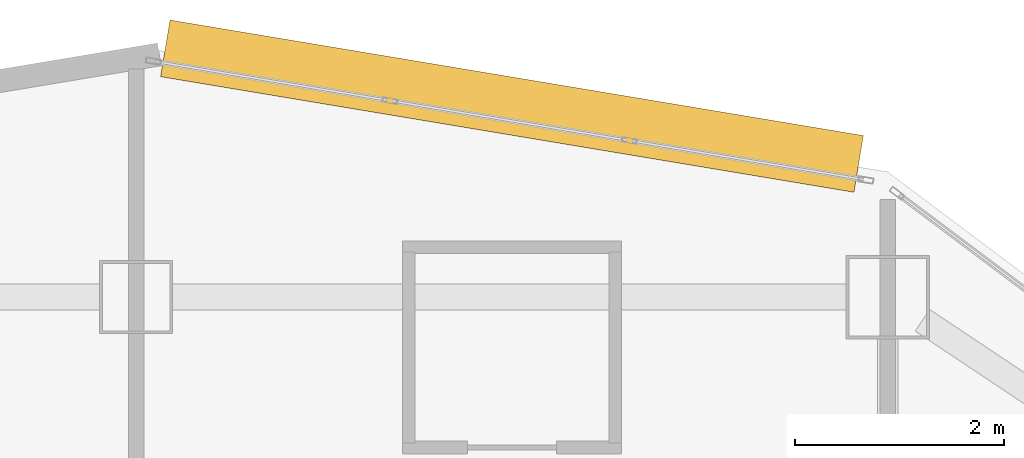
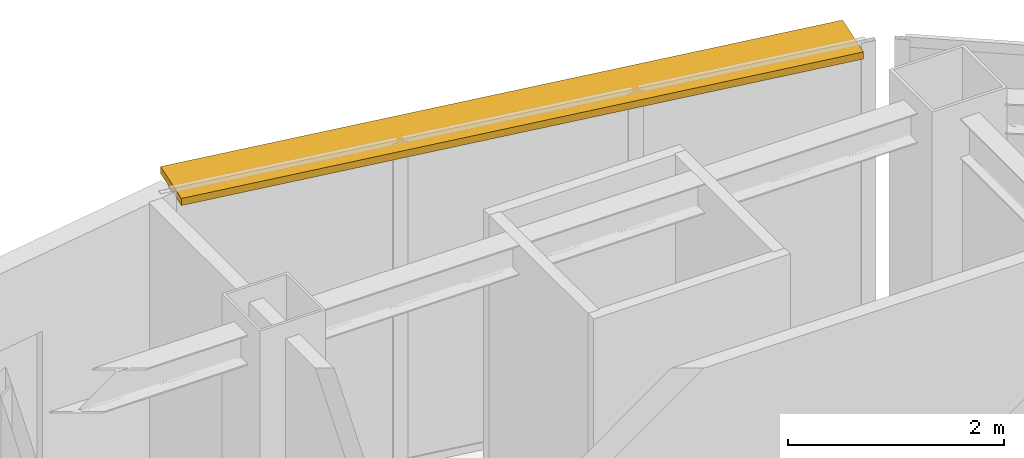
# One storey, part 11 of 11: 1 shading device.
"""IFC4 building model written with IfcOpenShell, lengths in metres."""

from ifc_helpers import new_model, si_unit, direction, frame, origin, origin_2d, place, context, subcontext, project, spatial, rectangle, extrude, material, layer, layer_set, type_object, element, save


model = new_model("IFC4")

# Units and contexts
model_context = context("Model", 3, precision=1e-05, world=origin(), true_north=direction((0.0, 1.0)))
body_context = subcontext(model_context, "Body", "Model", "MODEL_VIEW")
ifc_project = project(units=[si_unit("LENGTHUNIT", "METRE"), si_unit("AREAUNIT", "SQUARE_METRE"), si_unit("VOLUMEUNIT", "CUBIC_METRE"), si_unit("PLANEANGLEUNIT", "RADIAN"), si_unit("MASSUNIT", "GRAM", prefix="KILO")], contexts=[model_context])

# Site, building, storey
site_placement = place(None, origin())
site = spatial("IfcSite", under=ifc_project, at=site_placement, CompositionType="ELEMENT")
building_placement = place(site_placement, origin())
building = spatial("IfcBuilding", under=site, at=building_placement, Name="Haolan Belvedere Tower", CompositionType="ELEMENT")
storey_placement = place(building_placement, frame((0.0, 0.0, 250.60009765625)))
storey = spatial("IfcBuildingStorey", under=building, at=storey_placement, Name="L63", CompositionType="ELEMENT", Elevation=250.60009765625)

# Shading device
ifc_material = material(Name="Anodised champagne-silver aluminium 6063-T6", Category="aluminium")
ifc_layer = layer(ifc_material, 0.080078125, Name="Anodised champagne-silver aluminium 6063-T6")
ifc_layer_set = layer_set([ifc_layer], Name="Anodised champagne-silver aluminium 6063-T6")
shading_device_type = type_object("IfcShadingDeviceType", Name="SHD-SUN-550", PredefinedType="USERDEFINED", material=ifc_layer_set)
shading_device_placement = place(storey_placement, frame((42.000732421875, 52.230224609375, 3.56982421875), z_axis=(0.0, 0.0, 1.0), x_axis=(-0.986391978972, 0.16441065604, 0.0)))
element("IfcShadingDevice", 1, at=shading_device_placement, inside=storey, type_object=shading_device_type, Name="L63 pale-metal horizontal SUNSHADE band 9.1", ObjectType="SUNSHADE", PredefinedType="USERDEFINED", context=body_context, shape_type="SweptSolid", body=[
    extrude(rectangle(XDim=6.734130859375, YDim=0.550048828125, at=origin_2d()), origin(), (0.0, 0.0, 1.0), 0.080078125),
])

save(model, "model.ifc")
